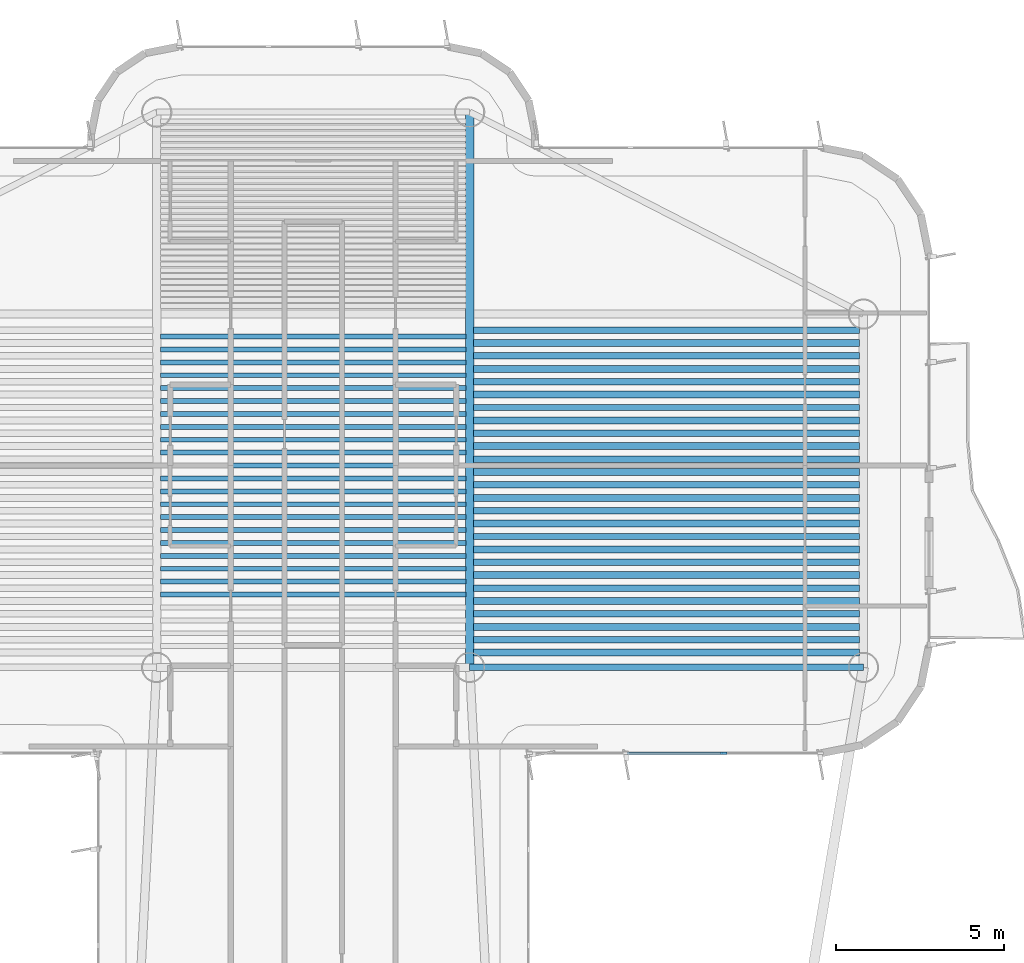
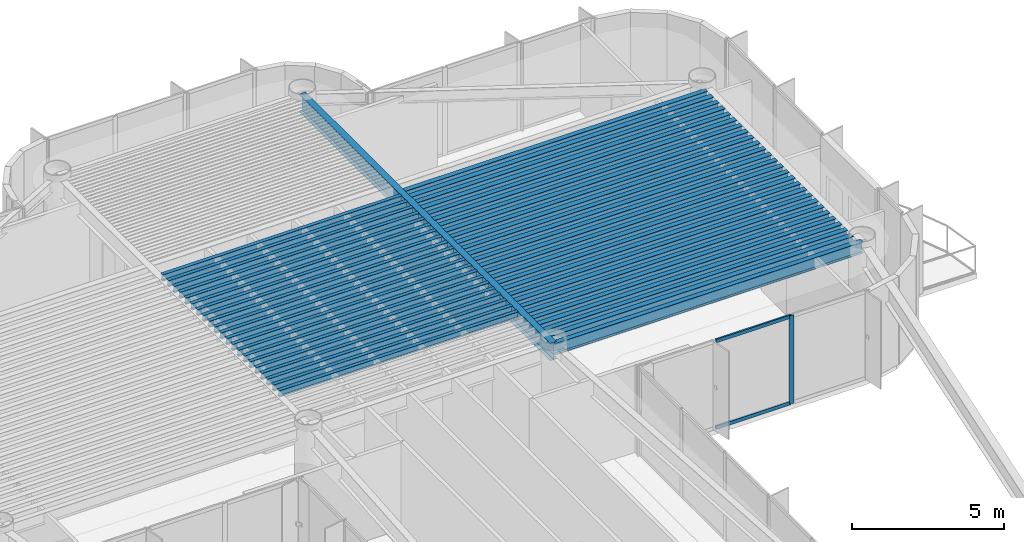
# One storey, part 6 of 16: 49 beams, 3 members, 1 element without a shape of its own.
"""IFC4 building model written with IfcOpenShell, lengths in metres."""

from ifc_helpers import new_model, si_unit, direction, frame, origin, origin_2d, place, context, subcontext, project, spatial, rectangle, i_section, extrude, source, transform, mapped, material, layer, layer_set, material_profile, profile_set, type_object, element, aggregate, save


model = new_model("IFC4")

# Units and contexts
model_context = context("Model", 3, precision=1e-05, world=origin(), true_north=direction((0.0, 1.0)))
body_context = subcontext(model_context, "Body", "Model", "MODEL_VIEW")
ifc_project = project(units=[si_unit("LENGTHUNIT", "METRE"), si_unit("AREAUNIT", "SQUARE_METRE"), si_unit("VOLUMEUNIT", "CUBIC_METRE"), si_unit("PLANEANGLEUNIT", "RADIAN"), si_unit("MASSUNIT", "GRAM", prefix="KILO")], contexts=[model_context])

# Site, building, storey
site_placement = place(None, origin())
site = spatial("IfcSite", under=ifc_project, at=site_placement, CompositionType="ELEMENT")
building_placement = place(site_placement, origin())
building = spatial("IfcBuilding", under=site, at=building_placement, Name="Brelvock Crest Care Tower", CompositionType="ELEMENT")
storey_placement = place(building_placement, frame((0.0, 0.0, 230.580078125)))
storey = spatial("IfcBuildingStorey", under=building, at=storey_placement, Name="L58", CompositionType="ELEMENT", Elevation=230.580078125)

# Beams
ifc_material_1 = material(Name="Steel Grade 350", Category="steel")
ifc_material_profile_1 = material_profile(ifc_material_1, i_section(OverallWidth=0.14599609375, OverallDepth=0.256103515625, WebThickness=0.00634765625, FlangeThickness=0.010986328125, FilletRadius=0.0087890625, at=origin_2d()), Name="250UB37.3")
ifc_profile_set_1 = profile_set([ifc_material_profile_1], Name="Steel Grade 350")
beam_type_1 = type_object("IfcBeamType", Name="BM-J3", PredefinedType="JOIST", material=ifc_profile_set_1)
shared_shape_1 = source(origin(), body_context, "Body", "SweptSolid", [
    extrude(i_section(OverallWidth=0.14599609375, OverallDepth=0.256103515625, WebThickness=0.00634765625, FlangeThickness=0.010986328125, FilletRadius=0.0087890625, at=origin_2d()), origin(), (0.0, 0.0, 1.0), 9.06982421875),
])
for number, where, z_axis, x_axis, name in (
    (1, (31.465087890625, 46.115478515625, 3.40185546875), (1.0, 0.0, 0.0), (0.0, 1.0, 0.0), "BM-JH-L58-5"),
    (2, (31.465087890625, 46.498779296875, 3.40185546875), (1.0, 0.0, 0.0), (0.0, 1.0, 0.0), "BM-JH-L58-6"),
    (3, (31.465087890625, 46.882080078125, 3.40185546875), (1.0, 0.0, 0.0), (0.0, 1.0, 0.0), "BM-JH-L58-7"),
    (4, (31.465087890625, 47.265380859375, 3.40185546875), (1.0, 0.0, 0.0), (0.0, 1.0, 0.0), "BM-JH-L58-8"),
    (5, (31.465087890625, 47.648681640625, 3.40185546875), (1.0, 0.0, 0.0), (0.0, 1.0, 0.0), "BM-JH-L58-9"),
    (6, (31.465087890625, 48.031982421875, 3.40185546875), (1.0, 0.0, 0.0), (0.0, 1.0, 0.0), "BM-JH-L58-10"),
    (7, (31.465087890625, 48.4150390625, 3.40185546875), (1.0, 0.0, 0.0), (0.0, 1.0, 0.0), "BM-JH-L58-11"),
    (8, (31.465087890625, 48.79833984375, 3.40185546875), (1.0, 0.0, 0.0), (0.0, 1.0, 0.0), "BM-JH-L58-12"),
    (9, (31.465087890625, 49.181640625, 3.40185546875), (1.0, 0.0, 0.0), (0.0, 1.0, 0.0), "BM-JH-L58-13"),
    (10, (31.465087890625, 49.564697265625, 3.40185546875), (1.0, 0.0, 0.0), (0.0, 1.0, 0.0), "BM-JH-L58-14"),
    (11, (31.465087890625, 49.947998046875, 3.40185546875), (1.0, 0.0, 0.0), (0.0, 1.0, 0.0), "BM-JH-L58-15"),
    (12, (31.465087890625, 50.331298828125, 3.40185546875), (1.0, 0.0, 0.0), (0.0, 1.0, 0.0), "BM-JH-L58-16"),
    (13, (31.465087890625, 50.714599609375, 3.40185546875), (1.0, 0.0, 0.0), (0.0, 1.0, 0.0), "BM-JH-L58-17"),
    (14, (31.465087890625, 51.097900390625, 3.40185546875), (1.0, 0.0, 0.0), (0.0, 1.0, 0.0), "BM-JH-L58-18"),
    (15, (31.465087890625, 51.481201171875, 3.40185546875), (1.0, 0.0, 0.0), (0.0, 1.0, 0.0), "BM-JH-L58-19"),
    (16, (31.465087890625, 51.864501953125, 3.40185546875), (1.0, 0.0, 0.0), (0.0, 1.0, 0.0), "BM-JH-L58-20"),
    (17, (31.465087890625, 52.24755859375, 3.40185546875), (1.0, 0.0, 0.0), (0.0, 1.0, 0.0), "BM-JH-L58-21"),
    (18, (31.465087890625, 52.630859375, 3.40185546875), (1.0, 0.0, 0.0), (0.0, 1.0, 0.0), "BM-JH-L58-22"),
    (19, (31.465087890625, 53.01416015625, 3.40185546875), (1.0, 0.0, 0.0), (0.0, 1.0, 0.0), "BM-JH-L58-23"),
    (20, (31.465087890625, 53.3974609375, 3.40185546875), (1.0, 0.0, 0.0), (0.0, 1.0, 0.0), "BM-JH-L58-24"),
    (21, (31.465087890625, 53.780517578125, 3.40185546875), (1.0, 0.0, 0.0), (0.0, 1.0, 0.0), "BM-JH-L58-25"),
):
    element("IfcBeam", number, at=place(storey_placement, frame(where, z_axis=z_axis, x_axis=x_axis)), inside=storey, type_object=beam_type_1, Name=name, PredefinedType="JOIST", context=body_context, shape_type="MappedRepresentation", body=[
        mapped(shared_shape_1, transform((0.0, 0.0, 0.0), x_axis=(1.0, 0.0, 0.0), y_axis=(0.0, 1.0, 0.0), z_axis=(0.0, 0.0, 1.0), scale=1.0)),
    ])
ifc_material_profile_2 = material_profile(ifc_material_1, i_section(OverallWidth=0.19091796875, OverallDepth=0.4599609375, WebThickness=0.010009765625, FlangeThickness=0.01611328125, FilletRadius=0.011474609375, at=origin_2d()), Name="460UB82.1")
ifc_profile_set_2 = profile_set([ifc_material_profile_2], Name="Steel Grade 350")
beam_type_2 = type_object("IfcBeamType", Name="BM-G3", PredefinedType="BEAM", material=ifc_profile_set_2)
shared_shape_2 = source(origin(), body_context, "Body", "SweptSolid", [
    extrude(i_section(OverallWidth=0.19091796875, OverallDepth=0.4599609375, WebThickness=0.010009765625, FlangeThickness=0.01611328125, FilletRadius=0.011474609375, at=origin_2d()), origin(), (0.0, 0.0, 1.0), 11.47021484375),
])
for number, where, z_axis, x_axis, name in (
    (22, (40.764892578125, 44.7744140625, 3.2998046875), (1.0, 0.0, 0.0), (0.0, 1.0, 0.0), "BM-JE-L58-2"),
    (23, (40.764892578125, 45.540771484375, 3.2998046875), (1.0, 0.0, 0.0), (0.0, 1.0, 0.0), "BM-JE-L58-4"),
    (24, (40.764892578125, 46.307373046875, 3.2998046875), (1.0, 0.0, 0.0), (0.0, 1.0, 0.0), "BM-JE-L58-6"),
    (25, (40.764892578125, 47.07373046875, 3.2998046875), (1.0, 0.0, 0.0), (0.0, 1.0, 0.0), "BM-JE-L58-8"),
    (26, (40.764892578125, 47.84033203125, 3.2998046875), (1.0, 0.0, 0.0), (0.0, 1.0, 0.0), "BM-JE-L58-10"),
    (27, (40.764892578125, 48.606689453125, 3.2998046875), (1.0, 0.0, 0.0), (0.0, 1.0, 0.0), "BM-JE-L58-12"),
    (28, (40.764892578125, 49.373291015625, 3.2998046875), (1.0, 0.0, 0.0), (0.0, 1.0, 0.0), "BM-JE-L58-14"),
    (29, (40.764892578125, 50.139892578125, 3.2998046875), (1.0, 0.0, 0.0), (0.0, 1.0, 0.0), "BM-JE-L58-16"),
    (30, (40.764892578125, 50.90625, 3.2998046875), (1.0, 0.0, 0.0), (0.0, 1.0, 0.0), "BM-JE-L58-18"),
    (31, (40.764892578125, 51.6728515625, 3.2998046875), (1.0, 0.0, 0.0), (0.0, 1.0, 0.0), "BM-JE-L58-20"),
    (32, (40.764892578125, 52.439208984375, 3.2998046875), (1.0, 0.0, 0.0), (0.0, 1.0, 0.0), "BM-JE-L58-22"),
    (33, (40.764892578125, 53.205810546875, 3.2998046875), (1.0, 0.0, 0.0), (0.0, 1.0, 0.0), "BM-JE-L58-24"),
    (34, (40.764892578125, 53.972412109375, 3.2998046875), (1.0, 0.0, 0.0), (0.0, 1.0, 0.0), "BM-JE-L58-26"),
):
    element("IfcBeam", number, at=place(storey_placement, frame(where, z_axis=z_axis, x_axis=x_axis)), inside=storey, type_object=beam_type_2, Name=name, PredefinedType="BEAM", context=body_context, shape_type="MappedRepresentation", body=[
        mapped(shared_shape_2, transform((0.0, 0.0, 0.0), x_axis=(1.0, 0.0, 0.0), y_axis=(0.0, 1.0, 0.0), z_axis=(0.0, 0.0, 1.0), scale=1.0)),
    ])
ifc_material_profile_3 = material_profile(ifc_material_1, i_section(OverallWidth=0.208984375, OverallDepth=0.532958984375, WebThickness=0.01025390625, FlangeThickness=0.015625, FilletRadius=0.013916015625, at=origin_2d()), Name="530UB92.4")
ifc_profile_set_3 = profile_set([ifc_material_profile_3], Name="Steel Grade 350")
beam_type_3 = type_object("IfcBeamType", Name="BM-G2", PredefinedType="BEAM", material=ifc_profile_set_3)
shared_shape_3 = source(origin(), body_context, "Body", "SweptSolid", [
    extrude(i_section(OverallWidth=0.208984375, OverallDepth=0.532958984375, WebThickness=0.01025390625, FlangeThickness=0.015625, FilletRadius=0.013916015625, at=origin_2d()), origin(), (0.0, 0.0, 1.0), 11.47021484375),
])
for number, where, z_axis, x_axis, name in (
    (35, (40.764892578125, 44.39111328125, 3.263427734375), (1.0, 0.0, 0.0), (0.0, 1.0, 0.0), "BM-JE-L58-1"),
    (36, (40.764892578125, 45.157470703125, 3.263427734375), (1.0, 0.0, 0.0), (0.0, 1.0, 0.0), "BM-JE-L58-3"),
    (37, (40.764892578125, 45.924072265625, 3.263427734375), (1.0, 0.0, 0.0), (0.0, 1.0, 0.0), "BM-JE-L58-5"),
    (38, (40.764892578125, 46.6904296875, 3.263427734375), (1.0, 0.0, 0.0), (0.0, 1.0, 0.0), "BM-JE-L58-7"),
    (39, (40.764892578125, 47.45703125, 3.263427734375), (1.0, 0.0, 0.0), (0.0, 1.0, 0.0), "BM-JE-L58-9"),
    (40, (40.764892578125, 48.223388671875, 3.263427734375), (1.0, 0.0, 0.0), (0.0, 1.0, 0.0), "BM-JE-L58-11"),
    (41, (40.764892578125, 48.989990234375, 3.263427734375), (1.0, 0.0, 0.0), (0.0, 1.0, 0.0), "BM-JE-L58-13"),
    (42, (40.764892578125, 49.756591796875, 3.263427734375), (1.0, 0.0, 0.0), (0.0, 1.0, 0.0), "BM-JE-L58-15"),
    (43, (40.764892578125, 50.52294921875, 3.263427734375), (1.0, 0.0, 0.0), (0.0, 1.0, 0.0), "BM-JE-L58-17"),
    (44, (40.764892578125, 51.28955078125, 3.263427734375), (1.0, 0.0, 0.0), (0.0, 1.0, 0.0), "BM-JE-L58-19"),
    (45, (40.764892578125, 52.055908203125, 3.263427734375), (1.0, 0.0, 0.0), (0.0, 1.0, 0.0), "BM-JE-L58-21"),
    (46, (40.764892578125, 52.822509765625, 3.263427734375), (1.0, 0.0, 0.0), (0.0, 1.0, 0.0), "BM-JE-L58-23"),
    (47, (40.764892578125, 53.589111328125, 3.263427734375), (1.0, 0.0, 0.0), (0.0, 1.0, 0.0), "BM-JE-L58-25"),
):
    element("IfcBeam", number, at=place(storey_placement, frame(where, z_axis=z_axis, x_axis=x_axis)), inside=storey, type_object=beam_type_3, Name=name, PredefinedType="BEAM", context=body_context, shape_type="MappedRepresentation", body=[
        mapped(shared_shape_3, transform((0.0, 0.0, 0.0), x_axis=(1.0, 0.0, 0.0), y_axis=(0.0, 1.0, 0.0), z_axis=(0.0, 0.0, 1.0), scale=1.0)),
    ])
ifc_material_profile_4 = material_profile(ifc_material_1, i_section(OverallWidth=0.19091796875, OverallDepth=0.4599609375, WebThickness=0.010009765625, FlangeThickness=0.01611328125, FilletRadius=0.011474609375, at=origin_2d()), Name="460UB82.1")
ifc_profile_set_4 = profile_set([ifc_material_profile_4], Name="Steel Grade 350")
beam_type_4 = type_object("IfcBeamType", Name="BM-SP2", PredefinedType="SPANDREL", material=ifc_profile_set_4)
shared_shape_4 = source(origin(), body_context, "Body", "SweptSolid", [
    extrude(i_section(OverallWidth=0.19091796875, OverallDepth=0.4599609375, WebThickness=0.010009765625, FlangeThickness=0.01611328125, FilletRadius=0.011474609375, at=origin_2d()), origin(), (0.0, 0.0, 1.0), 11.7001953125),
])
beam_1_placement = place(storey_placement, frame((40.64990234375, 43.949951171875, 3.2998046875), z_axis=(1.0, 0.0, 0.0), x_axis=(0.0, 1.0, 0.0)))
element("IfcBeam", 48, at=beam_1_placement, inside=storey, type_object=beam_type_4, Name="BM-TWR-L58-04", PredefinedType="SPANDREL", context=body_context, shape_type="MappedRepresentation", body=[
    mapped(shared_shape_4, transform((0.0, 0.0, 0.0), x_axis=(1.0, 0.0, 0.0), y_axis=(0.0, 1.0, 0.0), z_axis=(0.0, 0.0, 1.0), scale=1.0)),
])
ifc_material_profile_5 = material_profile(ifc_material_1, i_section(OverallWidth=0.25, OverallDepth=0.699951171875, WebThickness=0.011962890625, FlangeThickness=0.02001953125, at=origin_2d()), Name="700WB150")
ifc_profile_set_5 = profile_set([ifc_material_profile_5], Name="Steel Grade 350")
beam_type_5 = type_object("IfcBeamType", Name="BM-G4", PredefinedType="BEAM", material=ifc_profile_set_5)
shared_shape_5 = source(origin(), body_context, "Body", "SweptSolid", [
    extrude(i_section(OverallWidth=0.25, OverallDepth=0.699951171875, WebThickness=0.011962890625, FlangeThickness=0.02001953125, at=origin_2d()), origin(), (0.0, 0.0, 1.0), 16.5),
])
beam_2_placement = place(storey_placement, frame((40.64990234375, 43.949951171875, 3.179931640625), z_axis=(0.0, 1.0, 0.0), x_axis=(-1.0, 0.0, 0.0)))
element("IfcBeam", 49, at=beam_2_placement, inside=storey, type_object=beam_type_5, Name="BM-TWR-L58-10", PredefinedType="BEAM", context=body_context, shape_type="MappedRepresentation", body=[
    mapped(shared_shape_5, transform((0.0, 0.0, 0.0), x_axis=(1.0, 0.0, 0.0), y_axis=(0.0, 1.0, 0.0), z_axis=(0.0, 0.0, 1.0), scale=1.0)),
])

# Curtain wall, members
ifc_material_2 = material(Name="Dark Glass Double Glazed Low-E", Category="glass")
ifc_layer = layer(ifc_material_2, 0.239990234375, Name="CWS-5")
ifc_layer_set = layer_set([ifc_layer], Name="Dark Glass Double Glazed Low-E")
curtain_wall_type = type_object("IfcCurtainWallType", Name="CWS-5", PredefinedType="NOTDEFINED", material=ifc_layer_set)
curtain_wall_placement = place(storey_placement, origin())
curtain_wall = element("IfcCurtainWall", 50, at=curtain_wall_placement, inside=storey, type_object=curtain_wall_type, Name="L58 Curtain Wall E44", PredefinedType="NOTDEFINED")
ifc_material_3 = material(Name="Aluminium 6063-T6", Category="aluminium")
ifc_material_profile_6 = material_profile(ifc_material_3, rectangle(XDim=0.06005859375, YDim=0.179931640625, at=origin_2d()), Name="ALU60x180")
ifc_profile_set_6 = profile_set([ifc_material_profile_6], Name="Aluminium 6063-T6")
member_type_1 = type_object("IfcMemberType", Name="CWM-2", PredefinedType="MULLION", material=ifc_profile_set_6)
shared_shape_6 = source(origin(), body_context, "Body", "SweptSolid", [
    extrude(rectangle(XDim=0.06005859375, YDim=0.179931640625, at=origin_2d()), origin(), (0.0, 0.0, 1.0), 3.530029296875),
])
member_1_placement = place(storey_placement, frame((48.199951171875, 41.39990234375, 0.0), z_axis=(0.0, 0.0, 1.0), x_axis=(0.0, -1.0, 0.0)))
member_1 = element("IfcMember", 51, at=member_1_placement, type_object=member_type_1, Name="CW-5 mullion 2", PredefinedType="MULLION", context=body_context, shape_type="MappedRepresentation", body=[
    mapped(shared_shape_6, transform((0.0, 0.0, 0.0), x_axis=(1.0, 0.0, 0.0), y_axis=(0.0, 1.0, 0.0), z_axis=(0.0, 0.0, 1.0), scale=1.0)),
])
ifc_material_profile_7 = material_profile(ifc_material_3, rectangle(XDim=0.06005859375, YDim=0.139892578125, at=origin_2d()), Name="ALU60x140")
ifc_profile_set_7 = profile_set([ifc_material_profile_7], Name="Aluminium 6063-T6")
member_type_2 = type_object("IfcMemberType", Name="CWT-2", PredefinedType="USERDEFINED", material=ifc_profile_set_7)
shared_shape_7 = source(origin(), body_context, "Body", "SweptSolid", [
    extrude(rectangle(XDim=0.06005859375, YDim=0.139892578125, at=origin_2d()), origin(), (0.0, 0.0, 1.0), 2.83984375),
])
member_2_placement = place(storey_placement, frame((48.169921875, 41.39990234375, 0.030029296875), z_axis=(-1.0, 0.0, 0.0), x_axis=(0.0, -1.0, 0.0)))
member_2 = element("IfcMember", 52, at=member_2_placement, type_object=member_type_2, Name="CW-5 transom 2.1", ObjectType="TRANSOM", PredefinedType="USERDEFINED", context=body_context, shape_type="MappedRepresentation", body=[
    mapped(shared_shape_7, transform((0.0, 0.0, 0.0), x_axis=(1.0, 0.0, 0.0), y_axis=(0.0, 1.0, 0.0), z_axis=(0.0, 0.0, 1.0), scale=1.0)),
])
member_3_placement = place(storey_placement, frame((48.169921875, 41.39990234375, 3.5), z_axis=(-1.0, 0.0, 0.0), x_axis=(0.0, -1.0, 0.0)))
member_3 = element("IfcMember", 53, at=member_3_placement, type_object=member_type_2, Name="CW-5 transom 2.2", ObjectType="TRANSOM", PredefinedType="USERDEFINED", context=body_context, shape_type="MappedRepresentation", body=[
    mapped(shared_shape_7, transform((0.0, 0.0, 0.0), x_axis=(1.0, 0.0, 0.0), y_axis=(0.0, 1.0, 0.0), z_axis=(0.0, 0.0, 1.0), scale=1.0)),
])
aggregate(curtain_wall, [member_1, member_2, member_3])

save(model, "model.ifc")
